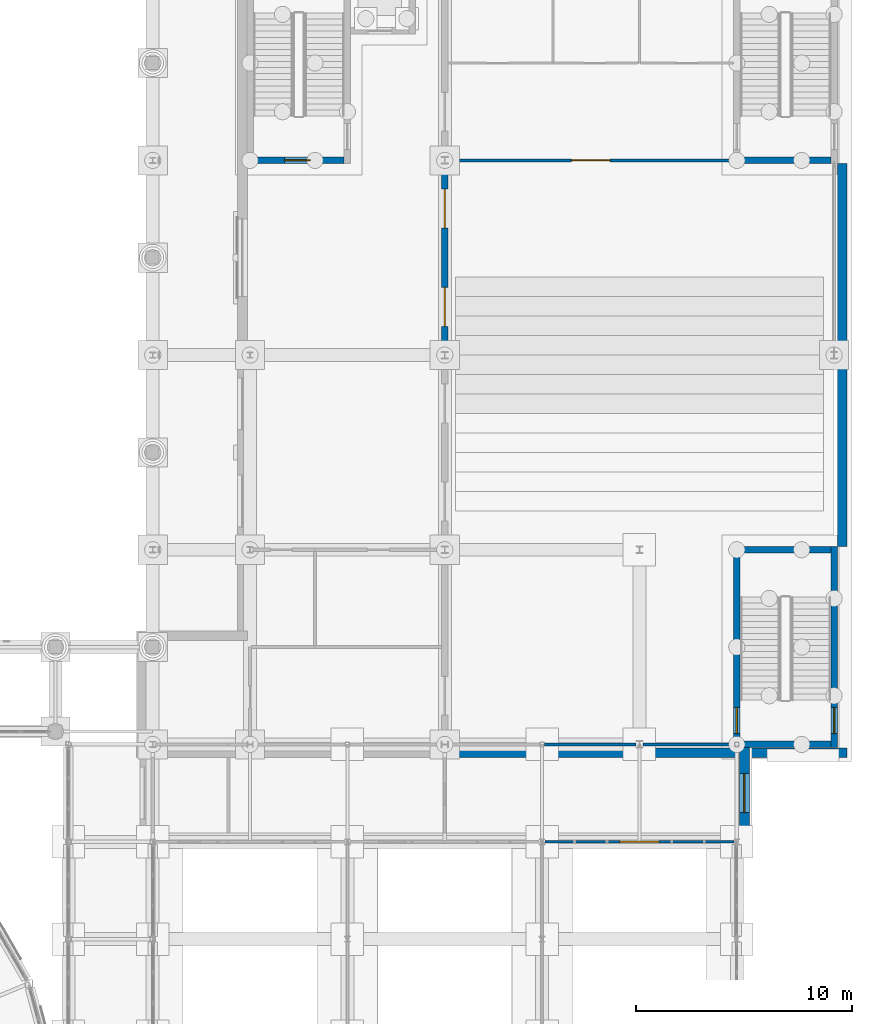
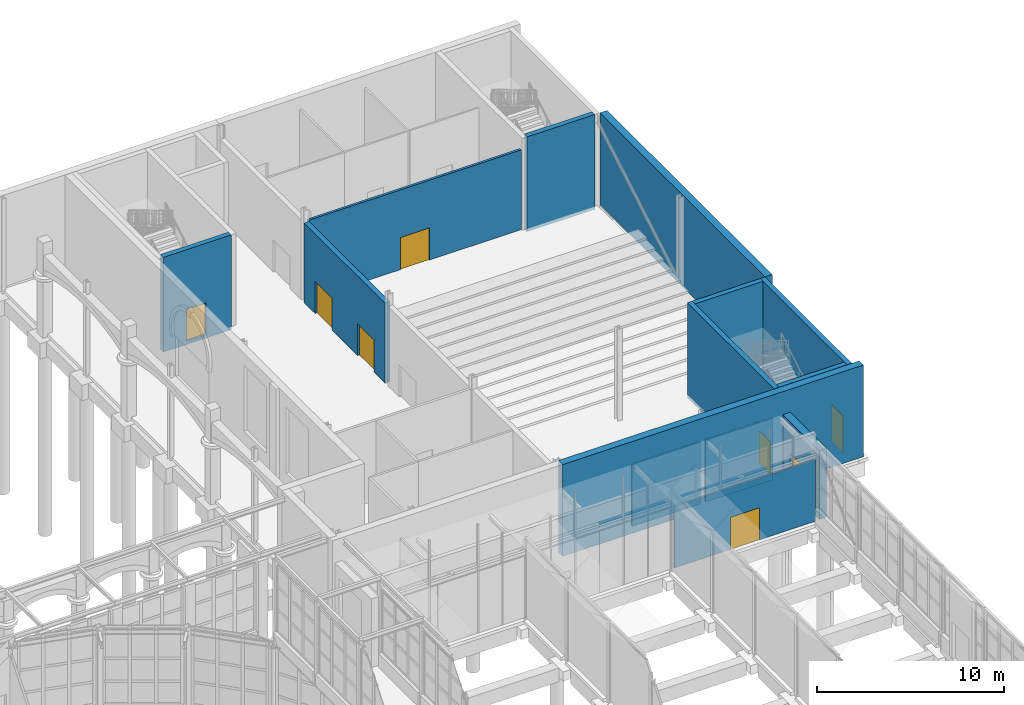
# One storey, part 74 of 106: 14 walls, 8 doors, 8 openings.
"""IFC4 building model written with IfcOpenShell, lengths in metres."""

from ifc_helpers import new_model, si_unit, direction, frame, frame_2d, origin, place, context, subcontext, project, spatial, rectangle, extrude, material, layer, layer_set, type_object, element, fill, save


model = new_model("IFC4")

# Units and contexts
model_context = context("Model", 3, precision=1e-05, world=origin(), true_north=direction((0.0, 1.0)))
body_context = subcontext(model_context, "Body", "Model", "MODEL_VIEW")
ifc_project = project(units=[si_unit("LENGTHUNIT", "METRE"), si_unit("AREAUNIT", "SQUARE_METRE"), si_unit("VOLUMEUNIT", "CUBIC_METRE"), si_unit("PLANEANGLEUNIT", "RADIAN"), si_unit("MASSUNIT", "GRAM", prefix="KILO")], contexts=[model_context])

# Site, building, storey
site_placement = place(None, origin())
site = spatial("IfcSite", under=ifc_project, at=site_placement, CompositionType="ELEMENT")
building_placement = place(site_placement, origin())
building = spatial("IfcBuilding", under=site, at=building_placement, Name="Hortulan Conservatory and Botanical Research Centre", CompositionType="ELEMENT")
storey_placement = place(building_placement, origin())
storey = spatial("IfcBuildingStorey", under=building, at=storey_placement, Name="L00", CompositionType="ELEMENT", Elevation=0.0)

# Wall, openings, doors
ifc_material_1 = material(Name="Brick masonry with acoustic lining", Category="masonry")
ifc_layer_1 = layer(ifc_material_1, 0.300048828125)
ifc_layer_set_1 = layer_set([ifc_layer_1], Name="Acoustic Hall Wall 300")
wall_type_1 = type_object("IfcWallType", Name="Acoustic Hall Wall 300", PredefinedType="STANDARD", material=ifc_layer_set_1)
wall_1_placement = place(storey_placement, frame((90.0, 54.17041015625, 0.0), z_axis=(0.0, 0.0, 1.0), x_axis=(0.0, 1.0, 0.0)))
wall_1 = element("IfcWall", 1, at=wall_1_placement, inside=storey, type_object=wall_type_1, Name="Auditorium hall wall L00 065", PredefinedType="STANDARD", context=body_context, shape_type="SweptSolid", body=[
    extrude(rectangle(XDim=8.6591796875, YDim=0.300048828125, at=frame_2d((4.32958984375, 0.0))), origin(), (0.0, 0.0, 1.0), 5.218017578125),
])
opening_1_placement = place(wall_1_placement, frame((1.16162109375, 0.0, 0.0)))
opening_1 = element("IfcOpeningElement", 2, at=opening_1_placement, cuts=wall_1, Name="Opening DL3", PredefinedType="OPENING", context=body_context, shape_type="SweptSolid", body=[
    extrude(rectangle(XDim=1.800048828125, YDim=2.10009765625, at=frame_2d((0.89990234375, 1.050048828125))), frame((0.0, 0.159912109375, 0.0), z_axis=(0.0, -1.0, 0.0), x_axis=(1.0, 0.0, 0.0)), (0.0, 0.0, 1.0), 0.320068359375),
])
opening_2_placement = place(wall_1_placement, frame((5.697509765625, 0.0, 0.0)))
opening_2 = element("IfcOpeningElement", 3, at=opening_2_placement, cuts=wall_1, Name="Opening DL3", PredefinedType="OPENING", context=body_context, shape_type="SweptSolid", body=[
    extrude(rectangle(XDim=1.800048828125, YDim=2.10009765625, at=frame_2d((0.89990234375, 1.050048828125))), frame((0.0, 0.159912109375, 0.0), z_axis=(0.0, -1.0, 0.0), x_axis=(1.0, 0.0, 0.0)), (0.0, 0.0, 1.0), 0.320068359375),
])
ifc_material_2 = material(Name="Timber door leaves in timber frame", Category="wood")
door_type_1 = type_object("IfcDoorType", Name="Auditorium Escape Door 1800 x 2100", OperationType="DOUBLE_DOOR_SINGLE_SWING", PredefinedType="DOOR", material=ifc_material_2)
door_1_placement = place(opening_1_placement, origin())
door_1 = element("IfcDoor", 4, at=door_1_placement, inside=storey, type_object=door_type_1, Name="Door DL3 Auditorium Stalls Under Circle to Auditorium Foyer", OperationType="DOUBLE_DOOR_SINGLE_SWING", OverallHeight=2.10009765625, OverallWidth=1.800048828125, PredefinedType="DOOR", context=body_context, shape_type="SweptSolid", body=[
    extrude(rectangle(XDim=1.800048828125, YDim=2.10009765625, at=frame_2d((0.89990234375, 1.050048828125))), frame((0.0, 0.02490234375, 0.0), z_axis=(0.0, -1.0, 0.0), x_axis=(1.0, 0.0, 0.0)), (0.0, 0.0, 1.0), 0.050048828125),
])
fill(opening_1, door_1)
door_2_placement = place(opening_2_placement, origin())
door_2 = element("IfcDoor", 5, at=door_2_placement, inside=storey, type_object=door_type_1, Name="Door DL3 Auditorium Stalls Under Circle to Auditorium Foyer", OperationType="DOUBLE_DOOR_SINGLE_SWING", OverallHeight=2.10009765625, OverallWidth=1.800048828125, PredefinedType="DOOR", context=body_context, shape_type="SweptSolid", body=[
    extrude(rectangle(XDim=1.800048828125, YDim=2.10009765625, at=frame_2d((0.89990234375, 1.050048828125))), frame((0.0, 0.02490234375, 0.0), z_axis=(0.0, -1.0, 0.0), x_axis=(1.0, 0.0, 0.0)), (0.0, 0.0, 1.0), 0.050048828125),
])
fill(opening_2, door_2)

# Wall, opening, door
ifc_material_3 = material(Name="Concrete N40 (40 MPa, AS 3600)", Category="concrete")
ifc_layer_2 = layer(ifc_material_3, 0.300048828125)
ifc_layer_set_2 = layer_set([ifc_layer_2], Name="Core Wall 300 N40 FRL 120/120/120")
wall_type_2 = type_object("IfcWallType", Name="Core Wall 300 N40 FRL 120/120/120", PredefinedType="SHEAR", material=ifc_layer_set_2)
wall_2_placement = place(storey_placement, frame((103.5, 35.85009765625, -0.199951171875), z_axis=(0.0, 0.0, 1.0), x_axis=(0.0, 1.0, 0.0)))
wall_2 = element("IfcWall", 6, at=wall_2_placement, inside=storey, type_object=wall_type_2, Name="Reinforced concrete shaft wall", PredefinedType="SHEAR", context=body_context, shape_type="SweptSolid", body=[
    extrude(rectangle(XDim=9.2998046875, YDim=0.300048828125, at=frame_2d((4.64990234375, 0.0))), origin(), (0.0, 0.0, 1.0), 6.199951171875),
])
opening_3_placement = place(wall_2_placement, frame((0.64990234375, 0.0, 0.199951171875)))
opening_3 = element("IfcOpeningElement", 7, at=opening_3_placement, cuts=wall_2, Name="Opening DT5", PredefinedType="OPENING", context=body_context, shape_type="SweptSolid", body=[
    extrude(rectangle(XDim=1.199951171875, YDim=2.10009765625, at=frame_2d((0.60009765625, 1.050048828125))), frame((0.0, 0.159912109375, 0.0), z_axis=(0.0, -1.0, 0.0), x_axis=(1.0, 0.0, 0.0)), (0.0, 0.0, 1.0), 0.320068359375),
])
ifc_material_4 = material(Name="Steel door leaf, insulated", Category="steel")
door_type_2 = type_object("IfcDoorType", Name="Stair Door 1200x2100 FRL -/120/30", OperationType="NOTDEFINED", PredefinedType="DOOR", material=ifc_material_4)
door_3_placement = place(opening_3_placement, frame((1.199951171875, 0.0, 0.0), z_axis=(0.0, 0.0, 1.0), x_axis=(-1.0, 0.0, 0.0)))
door_3 = element("IfcDoor", 8, at=door_3_placement, inside=storey, type_object=door_type_2, Name="Stair door A2 L00 W to Stage Wing", OperationType="SINGLE_SWING_RIGHT", OverallHeight=2.10009765625, OverallWidth=1.199951171875, PredefinedType="DOOR", context=body_context, shape_type="SweptSolid", body=[
    extrude(rectangle(XDim=1.199951171875, YDim=2.10009765625, at=frame_2d((0.60009765625, 1.050048828125))), frame((0.0, 0.02490234375, 0.0), z_axis=(0.0, -1.0, 0.0), x_axis=(1.0, 0.0, 0.0)), (0.0, 0.0, 1.0), 0.050048828125),
])
fill(opening_3, door_3)

wall_3_placement = place(storey_placement, frame((108.0, 35.85009765625, -0.199951171875), z_axis=(0.0, 0.0, 1.0), x_axis=(0.0, 1.0, 0.0)))
wall_3 = element("IfcWall", 9, at=wall_3_placement, inside=storey, type_object=wall_type_2, Name="Reinforced concrete shaft wall", PredefinedType="SHEAR", context=body_context, shape_type="SweptSolid", body=[
    extrude(rectangle(XDim=9.2998046875, YDim=0.300048828125, at=frame_2d((4.64990234375, 0.0))), origin(), (0.0, 0.0, 1.0), 6.199951171875),
])
opening_4_placement = place(wall_3_placement, frame((0.64990234375, 0.0, 0.011962890625)))
opening_4 = element("IfcOpeningElement", 10, at=opening_4_placement, cuts=wall_3, Name="Opening ED7", PredefinedType="OPENING", context=body_context, shape_type="SweptSolid", body=[
    extrude(rectangle(XDim=1.199951171875, YDim=2.39990234375, at=frame_2d((0.60009765625, 1.199951171875))), frame((0.0, 0.159912109375, 0.0), z_axis=(0.0, -1.0, 0.0), x_axis=(1.0, 0.0, 0.0)), (0.0, 0.0, 1.0), 0.320068359375),
])
ifc_material_5 = material(Name="Bronze and toughened laminated glass", Category="glass")
door_type_3 = type_object("IfcDoorType", Name="Stair Exit Door 1200x2400", OperationType="SINGLE_SWING_LEFT", PredefinedType="DOOR", material=ifc_material_5)
door_4_placement = place(opening_4_placement, frame((1.199951171875, 0.0, 0.0), z_axis=(0.0, 0.0, 1.0), x_axis=(-1.0, 0.0, 0.0)))
door_4 = element("IfcDoor", 11, at=door_4_placement, inside=storey, type_object=door_type_3, Name="Stair exit door", OperationType="SINGLE_SWING_LEFT", OverallHeight=2.39990234375, OverallWidth=1.199951171875, PredefinedType="DOOR", context=body_context, shape_type="SweptSolid", body=[
    extrude(rectangle(XDim=1.199951171875, YDim=2.39990234375, at=frame_2d((0.60009765625, 1.199951171875))), frame((0.0, 0.02490234375, 0.0), z_axis=(0.0, -1.0, 0.0), x_axis=(1.0, 0.0, 0.0)), (0.0, 0.0, 1.0), 0.050048828125),
])
fill(opening_4, door_4)

# Walls
for number, where, z_axis, x_axis, name in (
    (12, (103.64990234375, 36.0, -0.199951171875), (0.0, 0.0, 1.0), (1.0, 0.0, 0.0), "Reinforced concrete shaft wall"),
    (13, (103.64990234375, 45.0, -0.199951171875), (0.0, 0.0, 1.0), (1.0, 0.0, 0.0), "Reinforced concrete shaft wall"),
):
    element("IfcWall", number, at=place(storey_placement, frame(where, z_axis=z_axis, x_axis=x_axis)), inside=storey, type_object=wall_type_2, Name=name, PredefinedType="SHEAR", context=body_context, shape_type="SweptSolid", body=[
        extrude(rectangle(XDim=4.2001953125, YDim=0.300048828125, at=frame_2d((2.10009765625, 0.0))), origin(), (0.0, 0.0, 1.0), 6.199951171875),
    ])

# Wall, opening, door
wall_4_placement = place(storey_placement, frame((81.14990234375, 63.0, -0.199951171875), z_axis=(0.0, 0.0, 1.0), x_axis=(1.0, 0.0, 0.0)))
wall_4 = element("IfcWall", 14, at=wall_4_placement, inside=storey, type_object=wall_type_2, Name="Reinforced concrete shaft wall", PredefinedType="SHEAR", context=body_context, shape_type="SweptSolid", body=[
    extrude(rectangle(XDim=4.2001953125, YDim=0.300048828125, at=frame_2d((2.10009765625, 0.0))), origin(), (0.0, 0.0, 1.0), 6.199951171875),
])
opening_5_placement = place(wall_4_placement, frame((1.436767578125, 0.0, 0.199951171875)))
opening_5 = element("IfcOpeningElement", 15, at=opening_5_placement, cuts=wall_4, Name="Opening DT5", PredefinedType="OPENING", context=body_context, shape_type="SweptSolid", body=[
    extrude(rectangle(XDim=1.199951171875, YDim=2.10009765625, at=frame_2d((0.60009765625, 1.050048828125))), frame((0.0, 0.159912109375, 0.0), z_axis=(0.0, -1.0, 0.0), x_axis=(1.0, 0.0, 0.0)), (0.0, 0.0, 1.0), 0.320068359375),
])
door_5_placement = place(opening_5_placement, origin())
door_5 = element("IfcDoor", 16, at=door_5_placement, inside=storey, type_object=door_type_2, Name="Door DT5 Exit Stair A1 to Auditorium Foyer", OperationType="SINGLE_SWING_LEFT", OverallHeight=2.10009765625, OverallWidth=1.199951171875, PredefinedType="DOOR", context=body_context, shape_type="SweptSolid", body=[
    extrude(rectangle(XDim=1.199951171875, YDim=2.10009765625, at=frame_2d((0.60009765625, 1.050048828125))), frame((0.0, 0.02490234375, 0.0), z_axis=(0.0, -1.0, 0.0), x_axis=(1.0, 0.0, 0.0)), (0.0, 0.0, 1.0), 0.050048828125),
])
fill(opening_5, door_5)

# Wall
wall_5_placement = place(storey_placement, frame((103.64990234375, 63.0, -0.199951171875), z_axis=(0.0, 0.0, 1.0), x_axis=(1.0, 0.0, 0.0)))
element("IfcWall", 17, at=wall_5_placement, inside=storey, type_object=wall_type_2, Name="Reinforced concrete shaft wall", PredefinedType="SHEAR", context=body_context, shape_type="SweptSolid", body=[
    extrude(rectangle(XDim=4.2001953125, YDim=0.300048828125, at=frame_2d((2.10009765625, 0.0))), origin(), (0.0, 0.0, 1.0), 6.199951171875),
])

# Wall, opening, door
ifc_material_6 = material(Name="Plasterboard on steel studs", Category="steel")
ifc_layer_3 = layer(ifc_material_6, 0.14990234375)
ifc_layer_set_3 = layer_set([ifc_layer_3], Name="Corridor Partition 150")
wall_type_3 = type_object("IfcWallType", Name="Corridor Partition 150", PredefinedType="PARTITIONING", material=ifc_layer_set_3)
wall_6_placement = place(storey_placement, frame((90.16455078125, 63.0, 0.0), z_axis=(0.0, 0.0, 1.0), x_axis=(1.0, 0.0, 0.0)))
wall_6 = element("IfcWall", 18, at=wall_6_placement, inside=storey, type_object=wall_type_3, Name="Partition Auditorium Stalls Under Circle and Stalls Rear Foyer L00", PredefinedType="PARTITIONING", context=body_context, shape_type="SweptSolid", body=[
    extrude(rectangle(XDim=13.175537109375, YDim=0.14990234375, at=frame_2d((6.587890625, 0.0))), origin(), (0.0, 0.0, 1.0), 5.218017578125),
])
opening_6_placement = place(wall_6_placement, frame((5.685546875, 0.0, 0.0)))
opening_6 = element("IfcOpeningElement", 19, at=opening_6_placement, cuts=wall_6, Name="Opening DL3", PredefinedType="OPENING", context=body_context, shape_type="SweptSolid", body=[
    extrude(rectangle(XDim=1.800048828125, YDim=2.10009765625, at=frame_2d((0.89990234375, 1.050048828125))), frame((0.0, 0.0849609375, 0.0), z_axis=(0.0, -1.0, 0.0), x_axis=(1.0, 0.0, 0.0)), (0.0, 0.0, 1.0), 0.169921875),
])
door_6_placement = place(opening_6_placement, origin())
door_6 = element("IfcDoor", 20, at=door_6_placement, inside=storey, type_object=door_type_1, Name="Door DL3 Auditorium Stalls Under Circle to Stalls Rear Foyer", OperationType="DOUBLE_DOOR_SINGLE_SWING", OverallHeight=2.10009765625, OverallWidth=1.800048828125, PredefinedType="DOOR", context=body_context, shape_type="SweptSolid", body=[
    extrude(rectangle(XDim=1.800048828125, YDim=2.10009765625, at=frame_2d((0.89990234375, 1.050048828125))), frame((0.0, 0.02490234375, 0.0), z_axis=(0.0, -1.0, 0.0), x_axis=(1.0, 0.0, 0.0)), (0.0, 0.0, 1.0), 0.050048828125),
])
fill(opening_6, door_6)

ifc_material_7 = material(Name="Toughened glass in aluminium frame", Category="aluminium")
ifc_layer_4 = layer(ifc_material_7, 0.10009765625)
ifc_layer_set_4 = layer_set([ifc_layer_4], Name="Glasshouse Glazed Partition 100")
wall_type_4 = type_object("IfcWallType", Name="Glasshouse Glazed Partition 100", PredefinedType="PARTITIONING", material=ifc_layer_set_4)
wall_7_placement = place(storey_placement, frame((94.636962890625, 31.5, 0.0), z_axis=(0.0, 0.0, 1.0), x_axis=(1.0, 0.0, 0.0)))
wall_7 = element("IfcWall", 21, at=wall_7_placement, inside=storey, type_object=wall_type_4, Name="Partition Propagation and Quarantine Glasshouse and Gardeners' Workroom L00", PredefinedType="PARTITIONING", context=body_context, shape_type="SweptSolid", body=[
    extrude(rectangle(XDim=8.72607421875, YDim=0.10009765625, at=frame_2d((4.363037109375, 0.0))), origin(), (0.0, 0.0, 1.0), 4.0458984375),
])
opening_7_placement = place(wall_7_placement, frame((3.462890625, 0.0, 0.0)))
opening_7 = element("IfcOpeningElement", 22, at=opening_7_placement, cuts=wall_7, Name="Opening DL1", PredefinedType="OPENING", context=body_context, shape_type="SweptSolid", body=[
    extrude(rectangle(XDim=1.800048828125, YDim=2.10009765625, at=frame_2d((0.89990234375, 1.050048828125))), frame((0.0, 0.06005859375, 0.0), z_axis=(0.0, -1.0, 0.0), x_axis=(1.0, 0.0, 0.0)), (0.0, 0.0, 1.0), 0.1201171875),
])
ifc_material_8 = material(Name="Glazed aluminium door leaves in aluminium frame", Category="aluminium")
door_type_4 = type_object("IfcDoorType", Name="Glazed Double Door 1800 x 2100", OperationType="DOUBLE_DOOR_SINGLE_SWING", PredefinedType="DOOR", material=ifc_material_8)
door_7_placement = place(opening_7_placement, origin())
door_7 = element("IfcDoor", 23, at=door_7_placement, inside=storey, type_object=door_type_4, Name="Door DL1 Gardeners' Workroom to Propagation and Quarantine Glasshouse", OperationType="DOUBLE_DOOR_SINGLE_SWING", OverallHeight=2.10009765625, OverallWidth=1.800048828125, PredefinedType="DOOR", context=body_context, shape_type="SweptSolid", body=[
    extrude(rectangle(XDim=1.800048828125, YDim=2.10009765625, at=frame_2d((0.89990234375, 1.050048828125))), frame((0.0, 0.02490234375, 0.0), z_axis=(0.0, -1.0, 0.0), x_axis=(1.0, 0.0, 0.0)), (0.0, 0.0, 1.0), 0.050048828125),
])
fill(opening_7, door_7)

# Walls
ifc_layer_5 = layer(ifc_material_6, 0.125)
ifc_layer_set_5 = layer_set([ifc_layer_5], Name="Partition 125")
wall_type_5 = type_object("IfcWallType", Name="Partition 125", PredefinedType="PARTITIONING", material=ifc_layer_set_5)
wall_8_placement = place(storey_placement, frame((94.610107421875, 36.0, 0.0), z_axis=(0.0, 0.0, 1.0), x_axis=(1.0, 0.0, 0.0)))
element("IfcWall", 24, at=wall_8_placement, inside=storey, type_object=wall_type_5, Name="Partition Stage and Stage House and Gardeners' Workroom L00", PredefinedType="PARTITIONING", context=body_context, shape_type="SweptSolid", body=[
    extrude(rectangle(XDim=4.225341796875, YDim=0.125, at=frame_2d((2.11279296875, 0.0))), origin(), (0.0, 0.0, 1.0), 4.0458984375),
])
wall_9_placement = place(storey_placement, frame((99.16455078125, 36.0, 0.0), z_axis=(0.0, 0.0, 1.0), x_axis=(1.0, 0.0, 0.0)))
element("IfcWall", 25, at=wall_9_placement, inside=storey, type_object=wall_type_5, Name="Partition Stage Wing and Gardeners' Workroom L00", PredefinedType="PARTITIONING", context=body_context, shape_type="SweptSolid", body=[
    extrude(rectangle(XDim=4.175537109375, YDim=0.125, at=frame_2d((2.087890625, 0.0))), origin(), (0.0, 0.0, 1.0), 4.0458984375),
])
ifc_material_9 = material(Name="Sandstone masonry (Hawkesbury yellow block)", Category="masonry")
ifc_layer_6 = layer(ifc_material_9, 0.449951171875)
ifc_layer_set_6 = layer_set([ifc_layer_6], Name="Sandstone Masonry Cavity Wall 450")
wall_type_6 = type_object("IfcWallType", Name="Sandstone Masonry Cavity Wall 450", PredefinedType="STANDARD", material=ifc_layer_set_6)
wall_10_placement = place(storey_placement, frame((108.6044921875, 35.614501953125, 0.0), z_axis=(0.0, 0.0, 1.0), x_axis=(-1.0, 0.0, 0.0)))
element("IfcWall", 26, at=wall_10_placement, inside=storey, type_object=wall_type_6, Name="E-EW-AUD-L00-HS1", PredefinedType="STANDARD", context=body_context, shape_type="SweptSolid", body=[
    extrude(rectangle(XDim=18.6044921875, YDim=0.449951171875, at=frame_2d((9.30224609375, 0.0))), origin(), (0.0, 0.0, 1.0), 6.0),
])
wall_11_placement = place(storey_placement, frame((108.37939453125, 62.85009765625, 0.0), z_axis=(0.0, 0.0, 1.0), x_axis=(0.0, -1.0, 0.0)))
element("IfcWall", 27, at=wall_11_placement, inside=storey, type_object=wall_type_6, Name="E-EW-AUD-L00-HE3p1", PredefinedType="STANDARD", context=body_context, shape_type="SweptSolid", body=[
    extrude(rectangle(XDim=17.7001953125, YDim=0.449951171875, at=frame_2d((8.85009765625, 0.0))), origin(), (0.0, 0.0, 1.0), 6.0),
])

# Wall, opening, door
wall_12_placement = place(storey_placement, frame((103.85205078125, 36.0, 0.0), z_axis=(0.0, 0.0, 1.0), x_axis=(0.0, -1.0, 0.0)))
wall_12 = element("IfcWall", 28, at=wall_12_placement, inside=storey, type_object=wall_type_6, Name="E-EW-GB-L00-E2", PredefinedType="STANDARD", context=body_context, shape_type="SweptSolid", body=[
    extrude(rectangle(XDim=4.5, YDim=0.449951171875, at=frame_2d((2.25, 0.0))), origin(), (0.0, 0.0, 1.0), 4.5),
])
opening_8_placement = place(wall_12_placement, frame((1.35009765625, 0.0, 0.011962890625)))
opening_8 = element("IfcOpeningElement", 29, at=opening_8_placement, cuts=wall_12, Name="Opening ED10", PredefinedType="OPENING", context=body_context, shape_type="SweptSolid", body=[
    extrude(rectangle(XDim=1.800048828125, YDim=2.39990234375, at=frame_2d((0.89990234375, 1.199951171875))), frame((0.0, 0.23486328125, 0.0), z_axis=(0.0, -1.0, 0.0), x_axis=(1.0, 0.0, 0.0)), (0.0, 0.0, 1.0), 0.469970703125),
])
door_type_5 = type_object("IfcDoorType", Name="Service Door Pair 1800x2400", OperationType="DOUBLE_DOOR_DOUBLE_SWING", PredefinedType="DOOR", material=ifc_material_5)
door_8_placement = place(opening_8_placement, origin())
door_8 = element("IfcDoor", 30, at=door_8_placement, inside=storey, type_object=door_type_5, Name="Service door", OperationType="DOUBLE_DOOR_DOUBLE_SWING", OverallHeight=2.39990234375, OverallWidth=1.800048828125, PredefinedType="DOOR", context=body_context, shape_type="SweptSolid", body=[
    extrude(rectangle(XDim=1.800048828125, YDim=2.39990234375, at=frame_2d((0.89990234375, 1.199951171875))), frame((0.0, 0.02490234375, 0.0), z_axis=(0.0, -1.0, 0.0), x_axis=(1.0, 0.0, 0.0)), (0.0, 0.0, 1.0), 0.050048828125),
])
fill(opening_8, door_8)

save(model, "model.ifc")
